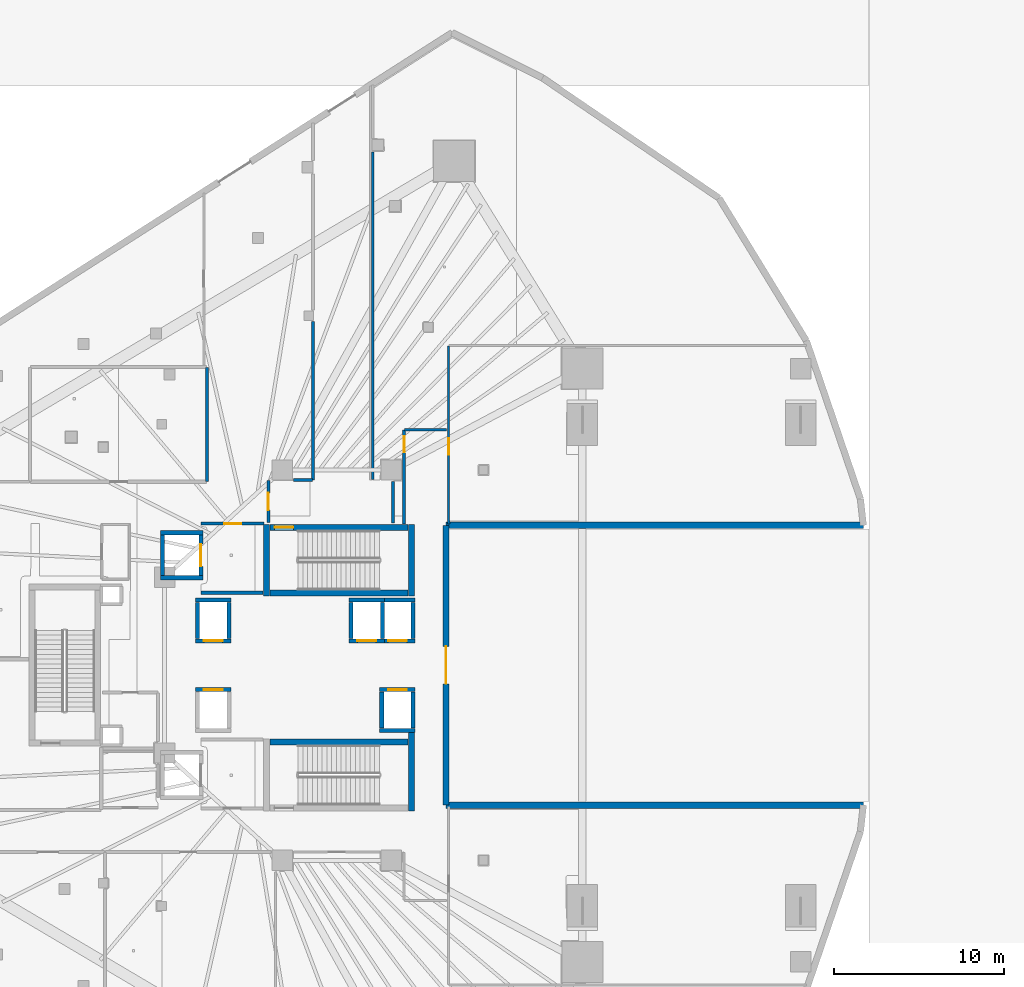
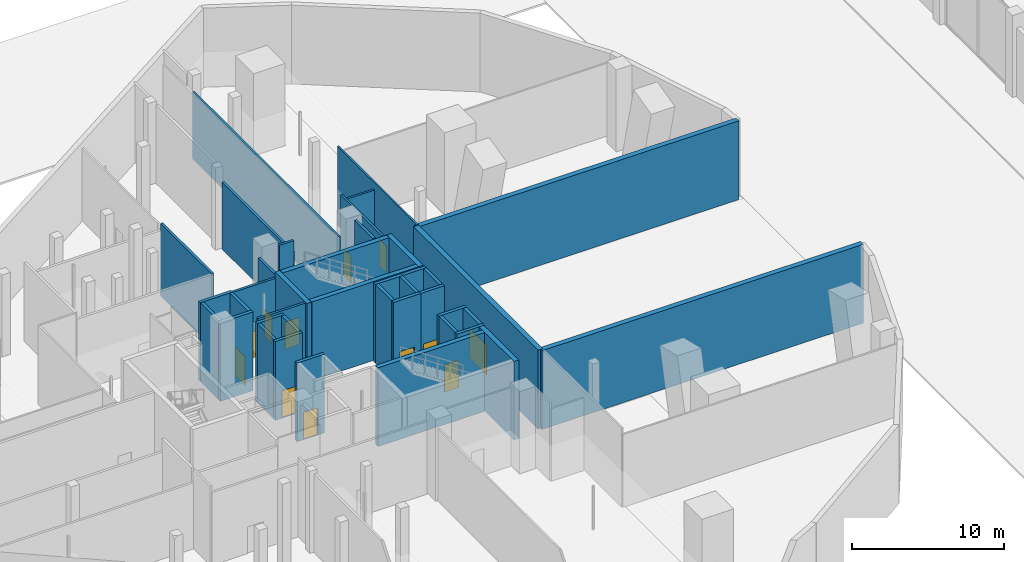
# One storey, part 28 of 45: 40 walls, 12 doors, 12 openings.
"""IFC4 building model written with IfcOpenShell, lengths in metres."""

from ifc_helpers import new_model, si_unit, direction, frame, frame_2d, origin, place, context, subcontext, project, spatial, rectangle, extrude, material, layer, layer_set, type_object, element, fill, save


model = new_model("IFC4")

# Units and contexts
model_context = context("Model", 3, precision=1e-05, world=origin(), true_north=direction((0.0, 1.0)))
body_context = subcontext(model_context, "Body", "Model", "MODEL_VIEW")
ifc_project = project(units=[si_unit("LENGTHUNIT", "METRE"), si_unit("AREAUNIT", "SQUARE_METRE"), si_unit("VOLUMEUNIT", "CUBIC_METRE"), si_unit("PLANEANGLEUNIT", "RADIAN"), si_unit("MASSUNIT", "GRAM", prefix="KILO")], contexts=[model_context])

# Site, building, storey
site_placement = place(None, origin())
site = spatial("IfcSite", under=ifc_project, at=site_placement, CompositionType="ELEMENT")
building_placement = place(site_placement, origin())
building = spatial("IfcBuilding", under=site, at=building_placement, Name="Qorvath Tower", CompositionType="ELEMENT")
storey_placement = place(building_placement, origin())
storey = spatial("IfcBuildingStorey", under=building, at=storey_placement, Name="L00", CompositionType="ELEMENT", Elevation=0.0)

# Walls
ifc_material_1 = material(Name="Gypsum shaftliner on steel studs", Category="steel")
ifc_layer_1 = layer(ifc_material_1, 0.179931640625)
ifc_layer_set_1 = layer_set([ifc_layer_1], Name="FW-LOBBY")
wall_type_1 = type_object("IfcWallType", Name="FW-LOBBY", PredefinedType="PARTITIONING", material=ifc_layer_set_1)
wall_1_placement = place(storey_placement, frame((-17.10009765625, 8.34521484375, 0.0), z_axis=(0.0, 0.0, 1.0), x_axis=(0.0, 1.0, 0.0)))
element("IfcWall", 1, at=wall_1_placement, inside=storey, type_object=wall_type_1, Name="Interior Partition IW-T1-L00-007", PredefinedType="PARTITIONING", context=body_context, shape_type="SweptSolid", body=[
    extrude(rectangle(XDim=2.439697265625, YDim=0.179931640625, at=frame_2d((1.2197265625, 0.0))), origin(), (0.0, 0.0, 1.0), 6.340087890625),
])
wall_2_placement = place(storey_placement, frame((-21.800048828125, 20.15478515625, 0.0), z_axis=(0.0, 0.0, 1.0), x_axis=(0.0, -1.0, 0.0)))
element("IfcWall", 2, at=wall_2_placement, inside=storey, type_object=wall_type_1, Name="Interior Partition IW-T1-L00-011", PredefinedType="PARTITIONING", context=body_context, shape_type="SweptSolid", body=[
    extrude(rectangle(XDim=9.27978515625, YDim=0.179931640625, at=frame_2d((4.639892578125, 0.0))), origin(), (0.0, 0.0, 1.0), 5.376953125),
])
wall_3_placement = place(storey_placement, frame((-22.93505859375, 10.85009765625, 0.0), z_axis=(0.0, 0.0, 1.0), x_axis=(1.0, 0.0, 0.0)))
element("IfcWall", 3, at=wall_3_placement, inside=storey, type_object=wall_type_1, Name="Interior Partition IW-T1-L00-012", PredefinedType="PARTITIONING", context=body_context, shape_type="SweptSolid", body=[
    extrude(rectangle(XDim=1.110107421875, YDim=0.179931640625, at=frame_2d((0.55517578125, 0.0))), origin(), (0.0, 0.0, 1.0), 6.340087890625),
])

# Wall, opening, door
wall_4_placement = place(storey_placement, frame((-24.419921875, 10.8251953125, 0.0), z_axis=(0.0, 0.0, 1.0), x_axis=(0.0, -1.0, 0.0)))
wall_4 = element("IfcWall", 4, at=wall_4_placement, inside=storey, type_object=wall_type_1, Name="Interior Partition IW-T1-L00-013", PredefinedType="PARTITIONING", context=body_context, shape_type="SweptSolid", body=[
    extrude(rectangle(XDim=2.44775390625, YDim=0.179931640625, at=frame_2d((1.223876953125, 0.0))), origin(), (0.0, 0.0, 1.0), 5.85302734375),
])
opening_1_placement = place(wall_4_placement, frame((0.723876953125, 0.0, 0.0)))
opening_1 = element("IfcOpeningElement", 5, at=opening_1_placement, cuts=wall_4, Name="Opening D-T1-L00-02", PredefinedType="OPENING", context=body_context, shape_type="SweptSolid", body=[
    extrude(rectangle(XDim=1.0, YDim=2.14990234375, at=frame_2d((0.5, 1.074951171875))), frame((0.0, 0.10009765625, 0.0), z_axis=(0.0, -1.0, 0.0), x_axis=(1.0, 0.0, 0.0)), (0.0, 0.0, 1.0), 0.199951171875),
])
ifc_material_2 = material(Name="Painted galvanised hollow metal", Category="steel")
door_type_1 = type_object("IfcDoorType", Name="FD-90B", OperationType="NOTDEFINED", PredefinedType="DOOR", material=ifc_material_2)
door_1_placement = place(opening_1_placement, origin())
door_1 = element("IfcDoor", 6, at=door_1_placement, inside=storey, type_object=door_type_1, Name="Corridor North Stair TS1 Exit Passageway Door D-T1-L00-02", OperationType="SINGLE_SWING_RIGHT", OverallHeight=2.14990234375, OverallWidth=1.0, PredefinedType="DOOR", context=body_context, shape_type="SweptSolid", body=[
    extrude(rectangle(XDim=1.0, YDim=2.14990234375, at=frame_2d((0.5, 1.074951171875))), frame((0.0, 0.02490234375, 0.0), z_axis=(0.0, -1.0, 0.0), x_axis=(1.0, 0.0, 0.0)), (0.0, 0.0, 1.0), 0.050048828125),
])
fill(opening_1, door_1)

# Wall
wall_5_placement = place(storey_placement, frame((-28.35498046875, 4.25, 0.0), z_axis=(0.0, 0.0, 1.0), x_axis=(1.0, 0.0, 0.0)))
element("IfcWall", 7, at=wall_5_placement, inside=storey, type_object=wall_type_1, Name="Interior Partition IW-T1-L00-014", PredefinedType="PARTITIONING", context=body_context, shape_type="SweptSolid", body=[
    extrude(rectangle(XDim=3.6220703125, YDim=0.179931640625, at=frame_2d((1.81103515625, 0.0))), origin(), (0.0, 0.0, 1.0), 6.340087890625),
])

# Wall, opening, door
wall_6_placement = place(storey_placement, frame((-24.68408203125, 8.300048828125, 0.0), z_axis=(0.0, 0.0, 1.0), x_axis=(-1.0, 0.0, 0.0)))
wall_6 = element("IfcWall", 8, at=wall_6_placement, inside=storey, type_object=wall_type_1, Name="Interior Partition IW-T1-L00-015", PredefinedType="PARTITIONING", context=body_context, shape_type="SweptSolid", body=[
    extrude(rectangle(XDim=3.6708984375, YDim=0.179931640625, at=frame_2d((1.83544921875, 0.0))), origin(), (0.0, 0.0, 1.0), 5.85302734375),
])
opening_2_placement = place(wall_6_placement, frame((1.33544921875, 0.0, 0.0)))
opening_2 = element("IfcOpeningElement", 9, at=opening_2_placement, cuts=wall_6, Name="Opening D-T1-L00-14", PredefinedType="OPENING", context=body_context, shape_type="SweptSolid", body=[
    extrude(rectangle(XDim=1.0, YDim=2.14990234375, at=frame_2d((0.5, 1.074951171875))), frame((0.0, 0.10009765625, 0.0), z_axis=(0.0, -1.0, 0.0), x_axis=(1.0, 0.0, 0.0)), (0.0, 0.0, 1.0), 0.199951171875),
])
ifc_material_3 = material(Name="Painted galvanised hollow metal", Category="steel")
door_type_2 = type_object("IfcDoorType", Name="FD-60", OperationType="NOTDEFINED", PredefinedType="DOOR", material=ifc_material_3)
door_2_placement = place(opening_2_placement, origin())
door_2 = element("IfcDoor", 10, at=door_2_placement, inside=storey, type_object=door_type_2, Name="Lobby Fire Service Elevator North Door D-T1-L00-14", OperationType="SINGLE_SWING_RIGHT", OverallHeight=2.14990234375, OverallWidth=1.0, PredefinedType="DOOR", context=body_context, shape_type="SweptSolid", body=[
    extrude(rectangle(XDim=1.0, YDim=2.14990234375, at=frame_2d((0.5, 1.074951171875))), frame((0.0, 0.02490234375, 0.0), z_axis=(0.0, -1.0, 0.0), x_axis=(1.0, 0.0, 0.0)), (0.0, 0.0, 1.0), 0.050048828125),
])
fill(opening_2, door_2)

# Wall
wall_7_placement = place(storey_placement, frame((-28.008056640625, 10.783203125, 0.0), z_axis=(0.0, 0.0, 1.0), x_axis=(0.0, 1.0, 0.0)))
element("IfcWall", 11, at=wall_7_placement, inside=storey, type_object=wall_type_1, Name="Interior Partition IW-T1-L00-034", PredefinedType="PARTITIONING", context=body_context, shape_type="SweptSolid", body=[
    extrude(rectangle(XDim=6.69189453125, YDim=0.179931640625, at=frame_2d((3.345947265625, 0.0))), origin(), (0.0, 0.0, 1.0), 5.85302734375),
])

# Wall, opening, door
ifc_material_4 = material(Name="Double acoustic gypsum board on steel studs", Category="steel")
ifc_layer_2 = layer(ifc_material_4, 0.159912109375)
ifc_layer_set_2 = layer_set([ifc_layer_2], Name="IW-ACOUSTIC-160")
wall_type_2 = type_object("IfcWallType", Name="IW-ACOUSTIC-160", PredefinedType="PARTITIONING", material=ifc_layer_set_2)
wall_8_placement = place(storey_placement, frame((-16.4580078125, 13.783203125, 0.0), z_axis=(0.0, 0.0, 1.0), x_axis=(0.0, -1.0, 0.0)))
wall_8 = element("IfcWall", 12, at=wall_8_placement, inside=storey, type_object=wall_type_2, Name="Interior Partition IW-T1-L00-039", PredefinedType="PARTITIONING", context=body_context, shape_type="SweptSolid", body=[
    extrude(rectangle(XDim=5.489990234375, YDim=0.159912109375, at=frame_2d((2.7451171875, 0.0))), origin(), (0.0, 0.0, 1.0), 6.340087890625),
])
opening_3_placement = place(wall_8_placement, frame((0.340087890625, 0.0, 0.0)))
opening_3 = element("IfcOpeningElement", 13, at=opening_3_placement, cuts=wall_8, Name="Opening D-T1-L00-08", PredefinedType="OPENING", context=body_context, shape_type="SweptSolid", body=[
    extrude(rectangle(XDim=0.949951171875, YDim=2.14990234375, at=frame_2d((0.47509765625, 1.074951171875))), frame((0.0, 0.08984375, 0.0), z_axis=(0.0, -1.0, 0.0), x_axis=(1.0, 0.0, 0.0)), (0.0, 0.0, 1.0), 0.179931640625),
])
ifc_material_5 = material(Name="Solid-core American white oak veneer", Category="wood")
door_type_3 = type_object("IfcDoorType", Name="D-01", OperationType="NOTDEFINED", PredefinedType="DOOR", material=ifc_material_5)
door_3_placement = place(opening_3_placement, origin())
door_3 = element("IfcDoor", 14, at=door_3_placement, inside=storey, type_object=door_type_3, Name="Corporate Auditorium Door D-T1-L00-08", OperationType="SINGLE_SWING_RIGHT", OverallHeight=2.14990234375, OverallWidth=0.949951171875, PredefinedType="DOOR", context=body_context, shape_type="SweptSolid", body=[
    extrude(rectangle(XDim=0.949951171875, YDim=2.14990234375, at=frame_2d((0.47509765625, 1.074951171875))), frame((0.0, 0.02490234375, 0.0), z_axis=(0.0, -1.0, 0.0), x_axis=(1.0, 0.0, 0.0)), (0.0, 0.0, 1.0), 0.050048828125),
])
fill(opening_3, door_3)

# Walls
wall_9_placement = place(storey_placement, frame((-16.43310546875, 13.80810546875, 0.0), z_axis=(0.0, 0.0, 1.0), x_axis=(1.0, 0.0, 0.0)))
element("IfcWall", 15, at=wall_9_placement, inside=storey, type_object=wall_type_2, Name="Interior Partition IW-T1-L00-040", PredefinedType="PARTITIONING", context=body_context, shape_type="SweptSolid", body=[
    extrude(rectangle(XDim=2.476806640625, YDim=0.159912109375, at=frame_2d((1.23828125, 0.0))), origin(), (0.0, 0.0, 1.0), 5.85302734375),
])
wall_10_placement = place(storey_placement, frame((-18.300048828125, 30.110107421875, 0.0), z_axis=(0.0, 0.0, 1.0), x_axis=(0.0, -1.0, 0.0)))
element("IfcWall", 16, at=wall_10_placement, inside=storey, type_object=wall_type_2, Name="Interior Partition IW-T1-L00-042", PredefinedType="PARTITIONING", context=body_context, shape_type="SweptSolid", body=[
    extrude(rectangle(XDim=19.2294921875, YDim=0.159912109375, at=frame_2d((9.61474609375, 0.0))), origin(), (0.0, 0.0, 1.0), 5.376953125),
])

# Wall, opening, door
ifc_material_6 = material(Name="Gypsum board on metal studs with mineral wool", Category="gypsum")
ifc_layer_3 = layer(ifc_material_6, 0.125)
ifc_layer_set_3 = layer_set([ifc_layer_3], Name="IW-PART-125")
wall_type_3 = type_object("IfcWallType", Name="IW-PART-125", PredefinedType="PARTITIONING", material=ifc_layer_set_3)
wall_11_placement = place(storey_placement, frame((-13.85009765625, 18.72509765625, 0.0), z_axis=(0.0, 0.0, 1.0), x_axis=(0.000794707928, -0.99999968422, 0.0)))
wall_11 = element("IfcWall", 17, at=wall_11_placement, inside=storey, type_object=wall_type_3, Name="Interior Partition IW-T1-L00-038", PredefinedType="PARTITIONING", context=body_context, shape_type="SweptSolid", body=[
    extrude(rectangle(XDim=10.445068359375, YDim=0.125, at=frame_2d((5.22265625, 0.0))), origin(), (0.0, 0.0, 1.0), 6.340087890625),
])
opening_4_placement = place(wall_11_placement, frame((5.42578125, 0.0, 0.0)))
opening_4 = element("IfcOpeningElement", 18, at=opening_4_placement, cuts=wall_11, Name="Opening D-T1-L00-07", PredefinedType="OPENING", context=body_context, shape_type="SweptSolid", body=[
    extrude(rectangle(XDim=0.949951171875, YDim=2.14990234375, at=frame_2d((0.47509765625, 1.074951171875))), frame((0.0, 0.072509765625, 0.0), z_axis=(0.0, -1.0, 0.0), x_axis=(1.0, 0.0, 0.0)), (0.0, 0.0, 1.0), 0.14501953125),
])
door_4_placement = place(opening_4_placement, origin())
door_4 = element("IfcDoor", 19, at=door_4_placement, inside=storey, type_object=door_type_3, Name="North Arch Concourse Operations Office Door D-T1-L00-07", OperationType="SINGLE_SWING_LEFT", OverallHeight=2.14990234375, OverallWidth=0.949951171875, PredefinedType="DOOR", context=body_context, shape_type="SweptSolid", body=[
    extrude(rectangle(XDim=0.949951171875, YDim=2.14990234375, at=frame_2d((0.47509765625, 1.074951171875))), frame((0.0, 0.02490234375, 0.0), z_axis=(0.0, -1.0, 0.0), x_axis=(1.0, 0.0, 0.0)), (0.0, 0.0, 1.0), 0.050048828125),
])
fill(opening_4, door_4)

# Walls
ifc_material_7 = material(Name="Concrete C60/75", Category="concrete")
ifc_layer_4 = layer(ifc_material_7, 0.260009765625)
ifc_layer_set_4 = layer_set([ifc_layer_4], Name="SW-SHAFT")
wall_type_4 = type_object("IfcWallType", Name="SW-SHAFT", PredefinedType="SHEAR", material=ifc_layer_set_4)
for number, where, z_axis, x_axis, name in (
    (20, (-28.260009765625, 5.1298828125, 0.0), (0.0, 0.0, 1.0), (-1.0, 0.0, 0.0), "Hoistway Wall FSAE-1 L00 S"),
    (21, (-30.739990234375, 7.77001953125, 0.0), (0.0, 0.0, 1.0), (1.0, 0.0, 0.0), "Hoistway Wall FSAE-1 L00 N"),
):
    element("IfcWall", number, at=place(storey_placement, frame(where, z_axis=z_axis, x_axis=x_axis)), inside=storey, type_object=wall_type_4, Name=name, PredefinedType="SHEAR", context=body_context, shape_type="SweptSolid", body=[
        extrude(rectangle(XDim=2.47998046875, YDim=0.239990234375, at=frame_2d((1.239990234375, 0.0))), origin(), (0.0, 0.0, 1.0), 6.340087890625),
    ])
wall_12_placement = place(storey_placement, frame((-30.6201171875, 5.261962890625, 0.0), z_axis=(0.0, 0.0, 1.0), x_axis=(0.0, 1.0, 0.0)))
element("IfcWall", 22, at=wall_12_placement, inside=storey, type_object=wall_type_4, Name="Hoistway Wall FSAE-1 L00 W", PredefinedType="SHEAR", context=body_context, shape_type="SweptSolid", body=[
    extrude(rectangle(XDim=2.3759765625, YDim=0.239990234375, at=frame_2d((1.18798828125, 0.0))), origin(), (0.0, 0.0, 1.0), 6.340087890625),
])

# Wall, opening, door
wall_13_placement = place(storey_placement, frame((-28.3798828125, 7.637939453125, 0.0), z_axis=(0.0, 0.0, 1.0), x_axis=(0.0, -1.0, 0.0)))
wall_13 = element("IfcWall", 23, at=wall_13_placement, inside=storey, type_object=wall_type_4, Name="Hoistway Wall FSAE-1 L00 E", PredefinedType="SHEAR", context=body_context, shape_type="SweptSolid", body=[
    extrude(rectangle(XDim=2.3759765625, YDim=0.239990234375, at=frame_2d((1.18798828125, 0.0))), origin(), (0.0, 0.0, 1.0), 6.340087890625),
])
opening_5_placement = place(wall_13_placement, frame((0.537841796875, 0.0, 0.0)))
opening_5 = element("IfcOpeningElement", 24, at=opening_5_placement, cuts=wall_13, Name="Opening LD-FSAE-1-L00", PredefinedType="OPENING", context=body_context, shape_type="SweptSolid", body=[
    extrude(rectangle(XDim=1.300048828125, YDim=2.300048828125, at=frame_2d((0.64990234375, 1.14990234375))), frame((0.0, 0.1298828125, 0.0), z_axis=(0.0, -1.0, 0.0), x_axis=(1.0, 0.0, 0.0)), (0.0, 0.0, 1.0), 0.260009765625),
])
ifc_material_8 = material(Name="Brushed stainless steel AISI 316", Category="steel")
door_type_4 = type_object("IfcDoorType", Name="LD-02", OperationType="NOTDEFINED", PredefinedType="DOOR", material=ifc_material_8)
door_5_placement = place(opening_5_placement, origin())
door_5 = element("IfcDoor", 25, at=door_5_placement, inside=storey, type_object=door_type_4, Name="Elevator Landing Sliding Door LD-FSAE-1-L00", OperationType="DOUBLE_DOOR_SLIDING", OverallHeight=2.300048828125, OverallWidth=1.300048828125, PredefinedType="DOOR", context=body_context, shape_type="SweptSolid", body=[
    extrude(rectangle(XDim=1.300048828125, YDim=2.300048828125, at=frame_2d((0.64990234375, 1.14990234375))), frame((0.0, 0.02490234375, 0.0), z_axis=(0.0, -1.0, 0.0), x_axis=(1.0, 0.0, 0.0)), (0.0, 0.0, 1.0), 0.050048828125),
])
fill(opening_5, door_5)

wall_14_placement = place(storey_placement, frame((-26.610107421875, 1.429931640625, 0.0), z_axis=(0.0, 0.0, 1.0), x_axis=(-1.0, 0.0, 0.0)))
wall_14 = element("IfcWall", 26, at=wall_14_placement, inside=storey, type_object=wall_type_4, Name="Hoistway Wall PS-1 L00 S", PredefinedType="SHEAR", context=body_context, shape_type="SweptSolid", body=[
    extrude(rectangle(XDim=2.079833984375, YDim=0.239990234375, at=frame_2d((1.0400390625, 0.0))), origin(), (0.0, 0.0, 1.0), 6.340087890625),
])
opening_6_placement = place(wall_14_placement, frame((0.48974609375, 0.0, 0.0)))
opening_6 = element("IfcOpeningElement", 27, at=opening_6_placement, cuts=wall_14, Name="Opening LD-PS-1-L00", PredefinedType="OPENING", context=body_context, shape_type="SweptSolid", body=[
    extrude(rectangle(XDim=1.10009765625, YDim=2.199951171875, at=frame_2d((0.550048828125, 1.10009765625))), frame((0.0, 0.1298828125, 0.0), z_axis=(0.0, -1.0, 0.0), x_axis=(1.0, 0.0, 0.0)), (0.0, 0.0, 1.0), 0.260009765625),
])
ifc_material_9 = material(Name="Brushed stainless steel AISI 316", Category="steel")
door_type_5 = type_object("IfcDoorType", Name="LD-01", OperationType="NOTDEFINED", PredefinedType="DOOR", material=ifc_material_9)
door_6_placement = place(opening_6_placement, origin())
door_6 = element("IfcDoor", 28, at=door_6_placement, inside=storey, type_object=door_type_5, Name="Elevator Landing Sliding Door LD-PS-1-L00", OperationType="DOUBLE_DOOR_SLIDING", OverallHeight=2.199951171875, OverallWidth=1.10009765625, PredefinedType="DOOR", context=body_context, shape_type="SweptSolid", body=[
    extrude(rectangle(XDim=1.10009765625, YDim=2.199951171875, at=frame_2d((0.550048828125, 1.10009765625))), frame((0.0, 0.02490234375, 0.0), z_axis=(0.0, -1.0, 0.0), x_axis=(1.0, 0.0, 0.0)), (0.0, 0.0, 1.0), 0.050048828125),
])
fill(opening_6, door_6)

# Walls
wall_15_placement = place(storey_placement, frame((-28.68994140625, 3.820068359375, 0.0), z_axis=(0.0, 0.0, 1.0), x_axis=(1.0, 0.0, 0.0)))
element("IfcWall", 29, at=wall_15_placement, inside=storey, type_object=wall_type_4, Name="Hoistway Wall PS-1 L00 N", PredefinedType="SHEAR", context=body_context, shape_type="SweptSolid", body=[
    extrude(rectangle(XDim=2.079833984375, YDim=0.239990234375, at=frame_2d((1.0400390625, 0.0))), origin(), (0.0, 0.0, 1.0), 6.340087890625),
])
for number, where, z_axis, x_axis, name in (
    (30, (-28.570068359375, 1.56201171875, 0.0), (0.0, 0.0, 1.0), (0.0, 1.0, 0.0), "Hoistway Wall PS-1 L00 W"),
    (31, (-26.72998046875, 3.68798828125, 0.0), (0.0, 0.0, 1.0), (0.0, -1.0, 0.0), "Hoistway Wall PS-1 L00 E"),
):
    element("IfcWall", number, at=place(storey_placement, frame(where, z_axis=z_axis, x_axis=x_axis)), inside=storey, type_object=wall_type_4, Name=name, PredefinedType="SHEAR", context=body_context, shape_type="SweptSolid", body=[
        extrude(rectangle(XDim=2.1259765625, YDim=0.239990234375, at=frame_2d((1.06298828125, 0.0))), origin(), (0.0, 0.0, 1.0), 6.340087890625),
    ])

# Wall, opening, door
wall_16_placement = place(storey_placement, frame((-17.610107421875, 1.429931640625, 0.0), z_axis=(0.0, 0.0, 1.0), x_axis=(-1.0, 0.0, 0.0)))
wall_16 = element("IfcWall", 32, at=wall_16_placement, inside=storey, type_object=wall_type_4, Name="Hoistway Wall PL-1 L00 S", PredefinedType="SHEAR", context=body_context, shape_type="SweptSolid", body=[
    extrude(rectangle(XDim=2.079833984375, YDim=0.239990234375, at=frame_2d((1.0400390625, 0.0))), origin(), (0.0, 0.0, 1.0), 6.340087890625),
])
opening_7_placement = place(wall_16_placement, frame((0.48974609375, 0.0, 0.0)))
opening_7 = element("IfcOpeningElement", 33, at=opening_7_placement, cuts=wall_16, Name="Opening LD-PL-1-L00", PredefinedType="OPENING", context=body_context, shape_type="SweptSolid", body=[
    extrude(rectangle(XDim=1.10009765625, YDim=2.199951171875, at=frame_2d((0.550048828125, 1.10009765625))), frame((0.0, 0.1298828125, 0.0), z_axis=(0.0, -1.0, 0.0), x_axis=(1.0, 0.0, 0.0)), (0.0, 0.0, 1.0), 0.260009765625),
])
door_7_placement = place(opening_7_placement, origin())
door_7 = element("IfcDoor", 34, at=door_7_placement, inside=storey, type_object=door_type_5, Name="Elevator Landing Sliding Door LD-PL-1-L00", OperationType="DOUBLE_DOOR_SLIDING", OverallHeight=2.199951171875, OverallWidth=1.10009765625, PredefinedType="DOOR", context=body_context, shape_type="SweptSolid", body=[
    extrude(rectangle(XDim=1.10009765625, YDim=2.199951171875, at=frame_2d((0.550048828125, 1.10009765625))), frame((0.0, 0.02490234375, 0.0), z_axis=(0.0, -1.0, 0.0), x_axis=(1.0, 0.0, 0.0)), (0.0, 0.0, 1.0), 0.050048828125),
])
fill(opening_7, door_7)

# Walls
wall_17_placement = place(storey_placement, frame((-19.68994140625, 3.820068359375, 0.0), z_axis=(0.0, 0.0, 1.0), x_axis=(1.0, 0.0, 0.0)))
element("IfcWall", 35, at=wall_17_placement, inside=storey, type_object=wall_type_4, Name="Hoistway Wall PL-1 L00 N", PredefinedType="SHEAR", context=body_context, shape_type="SweptSolid", body=[
    extrude(rectangle(XDim=2.079833984375, YDim=0.239990234375, at=frame_2d((1.0400390625, 0.0))), origin(), (0.0, 0.0, 1.0), 6.340087890625),
])
for number, where, z_axis, x_axis, name in (
    (36, (-19.570068359375, 1.56201171875, 0.0), (0.0, 0.0, 1.0), (0.0, 1.0, 0.0), "Hoistway Wall PL-1 L00 W"),
    (37, (-17.72998046875, 3.68798828125, 0.0), (0.0, 0.0, 1.0), (0.0, -1.0, 0.0), "Hoistway Wall PL-1 L00 E"),
):
    element("IfcWall", number, at=place(storey_placement, frame(where, z_axis=z_axis, x_axis=x_axis)), inside=storey, type_object=wall_type_4, Name=name, PredefinedType="SHEAR", context=body_context, shape_type="SweptSolid", body=[
        extrude(rectangle(XDim=2.1259765625, YDim=0.239990234375, at=frame_2d((1.06298828125, 0.0))), origin(), (0.0, 0.0, 1.0), 6.340087890625),
    ])

# Wall, opening, door
wall_18_placement = place(storey_placement, frame((-15.81005859375, 1.429931640625, 0.0), z_axis=(0.0, 0.0, 1.0), x_axis=(-1.0, 0.0, 0.0)))
wall_18 = element("IfcWall", 38, at=wall_18_placement, inside=storey, type_object=wall_type_4, Name="Hoistway Wall PL-3 L00 S", PredefinedType="SHEAR", context=body_context, shape_type="SweptSolid", body=[
    extrude(rectangle(XDim=1.800048828125, YDim=0.239990234375, at=frame_2d((0.89990234375, 0.0))), origin(), (0.0, 0.0, 1.0), 6.340087890625),
])
opening_8_placement = place(wall_18_placement, frame((0.489990234375, 0.0, 0.0)))
opening_8 = element("IfcOpeningElement", 39, at=opening_8_placement, cuts=wall_18, Name="Opening LD-PL-3-L00", PredefinedType="OPENING", context=body_context, shape_type="SweptSolid", body=[
    extrude(rectangle(XDim=1.10009765625, YDim=2.199951171875, at=frame_2d((0.550048828125, 1.10009765625))), frame((0.0, 0.1298828125, 0.0), z_axis=(0.0, -1.0, 0.0), x_axis=(1.0, 0.0, 0.0)), (0.0, 0.0, 1.0), 0.260009765625),
])
door_8_placement = place(opening_8_placement, origin())
door_8 = element("IfcDoor", 40, at=door_8_placement, inside=storey, type_object=door_type_5, Name="Elevator Landing Sliding Door LD-PL-3-L00", OperationType="DOUBLE_DOOR_SLIDING", OverallHeight=2.199951171875, OverallWidth=1.10009765625, PredefinedType="DOOR", context=body_context, shape_type="SweptSolid", body=[
    extrude(rectangle(XDim=1.10009765625, YDim=2.199951171875, at=frame_2d((0.550048828125, 1.10009765625))), frame((0.0, 0.02490234375, 0.0), z_axis=(0.0, -1.0, 0.0), x_axis=(1.0, 0.0, 0.0)), (0.0, 0.0, 1.0), 0.050048828125),
])
fill(opening_8, door_8)

# Walls
wall_19_placement = place(storey_placement, frame((-17.610107421875, 3.820068359375, 0.0), z_axis=(0.0, 0.0, 1.0), x_axis=(1.0, 0.0, 0.0)))
element("IfcWall", 41, at=wall_19_placement, inside=storey, type_object=wall_type_4, Name="Hoistway Wall PL-3 L00 N", PredefinedType="SHEAR", context=body_context, shape_type="SweptSolid", body=[
    extrude(rectangle(XDim=1.800048828125, YDim=0.239990234375, at=frame_2d((0.89990234375, 0.0))), origin(), (0.0, 0.0, 1.0), 6.340087890625),
])
wall_20_placement = place(storey_placement, frame((-15.929931640625, 3.68798828125, 0.0), z_axis=(0.0, 0.0, 1.0), x_axis=(0.0, -1.0, 0.0)))
element("IfcWall", 42, at=wall_20_placement, inside=storey, type_object=wall_type_4, Name="Hoistway Wall PL-3 L00 E", PredefinedType="SHEAR", context=body_context, shape_type="SweptSolid", body=[
    extrude(rectangle(XDim=2.1259765625, YDim=0.239990234375, at=frame_2d((1.06298828125, 0.0))), origin(), (0.0, 0.0, 1.0), 6.340087890625),
])

# Wall, opening, door
wall_21_placement = place(storey_placement, frame((-28.68994140625, -1.429931640625, 0.0), z_axis=(0.0, 0.0, 1.0), x_axis=(1.0, 0.0, 0.0)))
wall_21 = element("IfcWall", 43, at=wall_21_placement, inside=storey, type_object=wall_type_4, Name="Hoistway Wall PS-2 L00 N", PredefinedType="SHEAR", context=body_context, shape_type="SweptSolid", body=[
    extrude(rectangle(XDim=2.079833984375, YDim=0.239990234375, at=frame_2d((1.0400390625, 0.0))), origin(), (0.0, 0.0, 1.0), 6.340087890625),
])
opening_9_placement = place(wall_21_placement, frame((0.489990234375, 0.0, 0.0)))
opening_9 = element("IfcOpeningElement", 44, at=opening_9_placement, cuts=wall_21, Name="Opening LD-PS-2-L00", PredefinedType="OPENING", context=body_context, shape_type="SweptSolid", body=[
    extrude(rectangle(XDim=1.10009765625, YDim=2.199951171875, at=frame_2d((0.550048828125, 1.10009765625))), frame((0.0, 0.1298828125, 0.0), z_axis=(0.0, -1.0, 0.0), x_axis=(1.0, 0.0, 0.0)), (0.0, 0.0, 1.0), 0.260009765625),
])
door_9_placement = place(opening_9_placement, origin())
door_9 = element("IfcDoor", 45, at=door_9_placement, inside=storey, type_object=door_type_5, Name="Elevator Landing Sliding Door LD-PS-2-L00", OperationType="DOUBLE_DOOR_SLIDING", OverallHeight=2.199951171875, OverallWidth=1.10009765625, PredefinedType="DOOR", context=body_context, shape_type="SweptSolid", body=[
    extrude(rectangle(XDim=1.10009765625, YDim=2.199951171875, at=frame_2d((0.550048828125, 1.10009765625))), frame((0.0, 0.02490234375, 0.0), z_axis=(0.0, -1.0, 0.0), x_axis=(1.0, 0.0, 0.0)), (0.0, 0.0, 1.0), 0.050048828125),
])
fill(opening_9, door_9)

# Wall
wall_22_placement = place(storey_placement, frame((-15.81005859375, -3.820068359375, 0.0), z_axis=(0.0, 0.0, 1.0), x_axis=(-1.0, 0.0, 0.0)))
element("IfcWall", 46, at=wall_22_placement, inside=storey, type_object=wall_type_4, Name="Hoistway Wall PL-2 L00 S", PredefinedType="SHEAR", context=body_context, shape_type="SweptSolid", body=[
    extrude(rectangle(XDim=2.079833984375, YDim=0.239990234375, at=frame_2d((1.0400390625, 0.0))), origin(), (0.0, 0.0, 1.0), 6.340087890625),
])

# Wall, opening, door
wall_23_placement = place(storey_placement, frame((-17.889892578125, -1.429931640625, 0.0), z_axis=(0.0, 0.0, 1.0), x_axis=(1.0, 0.0, 0.0)))
wall_23 = element("IfcWall", 47, at=wall_23_placement, inside=storey, type_object=wall_type_4, Name="Hoistway Wall PL-2 L00 N", PredefinedType="SHEAR", context=body_context, shape_type="SweptSolid", body=[
    extrude(rectangle(XDim=2.079833984375, YDim=0.239990234375, at=frame_2d((1.0400390625, 0.0))), origin(), (0.0, 0.0, 1.0), 6.340087890625),
])
opening_10_placement = place(wall_23_placement, frame((0.48974609375, 0.0, 0.0)))
opening_10 = element("IfcOpeningElement", 48, at=opening_10_placement, cuts=wall_23, Name="Opening LD-PL-2-L00", PredefinedType="OPENING", context=body_context, shape_type="SweptSolid", body=[
    extrude(rectangle(XDim=1.10009765625, YDim=2.199951171875, at=frame_2d((0.550048828125, 1.10009765625))), frame((0.0, 0.1298828125, 0.0), z_axis=(0.0, -1.0, 0.0), x_axis=(1.0, 0.0, 0.0)), (0.0, 0.0, 1.0), 0.260009765625),
])
door_10_placement = place(opening_10_placement, origin())
door_10 = element("IfcDoor", 49, at=door_10_placement, inside=storey, type_object=door_type_5, Name="Elevator Landing Sliding Door LD-PL-2-L00", OperationType="DOUBLE_DOOR_SLIDING", OverallHeight=2.199951171875, OverallWidth=1.10009765625, PredefinedType="DOOR", context=body_context, shape_type="SweptSolid", body=[
    extrude(rectangle(XDim=1.10009765625, YDim=2.199951171875, at=frame_2d((0.550048828125, 1.10009765625))), frame((0.0, 0.02490234375, 0.0), z_axis=(0.0, -1.0, 0.0), x_axis=(1.0, 0.0, 0.0)), (0.0, 0.0, 1.0), 0.050048828125),
])
fill(opening_10, door_10)

# Walls
for number, where, z_axis, x_axis, name in (
    (50, (-17.77001953125, -3.68798828125, 0.0), (0.0, 0.0, 1.0), (0.0, 1.0, 0.0), "Hoistway Wall PL-2 L00 W"),
    (51, (-15.929931640625, -1.56201171875, 0.0), (0.0, 0.0, 1.0), (0.0, -1.0, 0.0), "Hoistway Wall PL-2 L00 E"),
):
    element("IfcWall", number, at=place(storey_placement, frame(where, z_axis=z_axis, x_axis=x_axis)), inside=storey, type_object=wall_type_4, Name=name, PredefinedType="SHEAR", context=body_context, shape_type="SweptSolid", body=[
        extrude(rectangle(XDim=2.1259765625, YDim=0.239990234375, at=frame_2d((1.06298828125, 0.0))), origin(), (0.0, 0.0, 1.0), 6.340087890625),
    ])
ifc_material_10 = material(Name="Concrete C60/75", Category="concrete")
ifc_layer_5 = layer(ifc_material_10, 0.35009765625)
ifc_layer_set_5 = layer_set([ifc_layer_5], Name="SW-STAIR")
wall_type_5 = type_object("IfcWallType", Name="SW-STAIR", PredefinedType="SHEAR", material=ifc_layer_set_5)
for number, where, z_axis, x_axis, name in (
    (52, (-24.52490234375, 8.260009765625, 0.0), (0.0, 0.0, 1.0), (0.0, -1.0, 0.0), "Stair TS1 Shear Wall L00 NEAR"),
    (53, (-16.02490234375, 4.050048828125, 0.0), (0.0, 0.0, 1.0), (0.0, 1.0, 0.0), "Stair TS1 Shear Wall L00 FAR"),
):
    element("IfcWall", number, at=place(storey_placement, frame(where, z_axis=z_axis, x_axis=x_axis)), inside=storey, type_object=wall_type_5, Name=name, PredefinedType="SHEAR", context=body_context, shape_type="SweptSolid", body=[
        extrude(rectangle(XDim=4.2099609375, YDim=0.35009765625, at=frame_2d((2.10498046875, 0.0))), origin(), (0.0, 0.0, 1.0), 6.340087890625),
    ])
wall_24_placement = place(storey_placement, frame((-24.3349609375, 4.22509765625, 0.0), z_axis=(0.0, 0.0, 1.0), x_axis=(1.0, 0.0, 0.0)))
element("IfcWall", 54, at=wall_24_placement, inside=storey, type_object=wall_type_5, Name="Stair TS1 Shear Wall L00 LEFT", PredefinedType="SHEAR", context=body_context, shape_type="SweptSolid", body=[
    extrude(rectangle(XDim=8.119873046875, YDim=0.35009765625, at=frame_2d((4.06005859375, 0.0))), origin(), (0.0, 0.0, 1.0), 6.340087890625),
])

# Wall, opening, door
wall_25_placement = place(storey_placement, frame((-24.3349609375, 8.0849609375, 0.0), z_axis=(0.0, 0.0, 1.0), x_axis=(1.0, 0.0, 0.0)))
wall_25 = element("IfcWall", 55, at=wall_25_placement, inside=storey, type_object=wall_type_5, Name="Stair TS1 Shear Wall L00 RIGHT", PredefinedType="SHEAR", context=body_context, shape_type="SweptSolid", body=[
    extrude(rectangle(XDim=8.119873046875, YDim=0.35009765625, at=frame_2d((4.06005859375, 0.0))), origin(), (0.0, 0.0, 1.0), 6.340087890625),
])
opening_11_placement = place(wall_25_placement, frame((0.280029296875, 0.0, 0.0)))
opening_11 = element("IfcOpeningElement", 56, at=opening_11_placement, cuts=wall_25, Name="Opening D-TS1-L00", PredefinedType="OPENING", context=body_context, shape_type="SweptSolid", body=[
    extrude(rectangle(XDim=1.10009765625, YDim=2.199951171875, at=frame_2d((0.550048828125, 1.10009765625))), frame((0.0, 0.18505859375, 0.0), z_axis=(0.0, -1.0, 0.0), x_axis=(1.0, 0.0, 0.0)), (0.0, 0.0, 1.0), 0.3701171875),
])
ifc_material_11 = material(Name="Painted galvanised hollow metal", Category="steel")
door_type_6 = type_object("IfcDoorType", Name="FD-90", OperationType="NOTDEFINED", PredefinedType="DOOR", material=ifc_material_11)
door_11_placement = place(opening_11_placement, origin())
door_11 = element("IfcDoor", 57, at=door_11_placement, inside=storey, type_object=door_type_6, Name="Stair TS1 Fire Door L00", OperationType="SINGLE_SWING_LEFT", OverallHeight=2.199951171875, OverallWidth=1.10009765625, PredefinedType="DOOR", context=body_context, shape_type="SweptSolid", body=[
    extrude(rectangle(XDim=1.10009765625, YDim=2.199951171875, at=frame_2d((0.550048828125, 1.10009765625))), frame((0.0, 0.02490234375, 0.0), z_axis=(0.0, -1.0, 0.0), x_axis=(1.0, 0.0, 0.0)), (0.0, 0.0, 1.0), 0.050048828125),
])
fill(opening_11, door_11)

# Walls
wall_26_placement = place(storey_placement, frame((-16.02490234375, -8.550048828125, 0.0), z_axis=(0.0, 0.0, 1.0), x_axis=(0.0, 1.0, 0.0)))
element("IfcWall", 58, at=wall_26_placement, inside=storey, type_object=wall_type_5, Name="Stair TS2 Shear Wall L00 FAR", PredefinedType="SHEAR", context=body_context, shape_type="SweptSolid", body=[
    extrude(rectangle(XDim=4.610107421875, YDim=0.35009765625, at=frame_2d((2.30517578125, 0.0))), origin(), (0.0, 0.0, 1.0), 6.340087890625),
])
wall_27_placement = place(storey_placement, frame((-16.215087890625, -4.514892578125, 0.0), z_axis=(0.0, 0.0, 1.0), x_axis=(-1.0, 0.0, 0.0)))
element("IfcWall", 59, at=wall_27_placement, inside=storey, type_object=wall_type_5, Name="Stair TS2 Shear Wall L00 RIGHT", PredefinedType="SHEAR", context=body_context, shape_type="SweptSolid", body=[
    extrude(rectangle(XDim=8.119873046875, YDim=0.35009765625, at=frame_2d((4.06005859375, 0.0))), origin(), (0.0, 0.0, 1.0), 6.340087890625),
])
ifc_material_12 = material(Name="Precast concrete C50/60", Category="concrete")
ifc_layer_6 = layer(ifc_material_12, 0.3798828125)
ifc_layer_set_6 = layer_set([ifc_layer_6], Name="WL-EW-POD-380")
wall_type_6 = type_object("IfcWallType", Name="WL-EW-POD-380", PredefinedType="SOLIDWALL", material=ifc_layer_set_6)
wall_28_placement = place(storey_placement, frame((10.483154296875, -8.199951171875, 0.0), z_axis=(0.0, 0.0, 1.0), x_axis=(-1.0, 0.0, 0.0)))
element("IfcWall", 60, at=wall_28_placement, inside=storey, type_object=wall_type_6, Name="Tower Podium Precast Facade Wall L00-1.1", PredefinedType="SOLIDWALL", context=body_context, shape_type="SweptSolid", body=[
    extrude(rectangle(XDim=24.483154296875, YDim=0.3798828125, at=frame_2d((12.24169921875, 0.0))), origin(), (0.0, 0.0, 1.0), 6.340087890625),
])

# Wall, opening, door
wall_29_placement = place(storey_placement, frame((-14.0, 8.199951171875, 0.0), z_axis=(0.0, 0.0, 1.0), x_axis=(0.0, -1.0, 0.0)))
wall_29 = element("IfcWall", 61, at=wall_29_placement, inside=storey, type_object=wall_type_6, Name="Tower Podium Precast Facade Wall L00-2.1", PredefinedType="SOLIDWALL", context=body_context, shape_type="SweptSolid", body=[
    extrude(rectangle(XDim=16.39990234375, YDim=0.3798828125, at=frame_2d((8.199951171875, 0.0))), origin(), (0.0, 0.0, 1.0), 6.340087890625),
])
opening_12_placement = place(wall_29_placement, frame((7.10009765625, 0.0, 0.0)))
opening_12 = element("IfcOpeningElement", 62, at=opening_12_placement, cuts=wall_29, Name="Opening ED-T1-01", PredefinedType="OPENING", context=body_context, shape_type="SweptSolid", body=[
    extrude(rectangle(XDim=2.199951171875, YDim=2.39990234375, at=frame_2d((1.10009765625, 1.199951171875))), frame((0.0, 0.199951171875, 0.0), z_axis=(0.0, -1.0, 0.0), x_axis=(1.0, 0.0, 0.0)), (0.0, 0.0, 1.0), 0.39990234375),
])
ifc_material_13 = material(Name="Anodised aluminium and low-E glass", Category="aluminium")
door_type_7 = type_object("IfcDoorType", Name="ED-02", OperationType="NOTDEFINED", PredefinedType="DOOR", material=ifc_material_13)
door_12_placement = place(opening_12_placement, origin())
door_12 = element("IfcDoor", 63, at=door_12_placement, inside=storey, type_object=door_type_7, Name="Tower Main Concourse Plaza Exterior Exit Door", OperationType="SINGLE_SWING_LEFT", OverallHeight=2.39990234375, OverallWidth=2.199951171875, PredefinedType="DOOR", context=body_context, shape_type="SweptSolid", body=[
    extrude(rectangle(XDim=2.199951171875, YDim=2.39990234375, at=frame_2d((1.10009765625, 1.199951171875))), frame((0.0, 0.02490234375, 0.0), z_axis=(0.0, -1.0, 0.0), x_axis=(1.0, 0.0, 0.0)), (0.0, 0.0, 1.0), 0.050048828125),
])
fill(opening_12, door_12)

# Wall
wall_30_placement = place(storey_placement, frame((-14.0, 8.199951171875, 0.0), z_axis=(0.0, 0.0, 1.0), x_axis=(1.0, 0.0, 0.0)))
element("IfcWall", 64, at=wall_30_placement, inside=storey, type_object=wall_type_6, Name="Tower Podium Precast Facade Wall L00-3.1", PredefinedType="SOLIDWALL", context=body_context, shape_type="SweptSolid", body=[
    extrude(rectangle(XDim=24.483154296875, YDim=0.3798828125, at=frame_2d((12.24169921875, 0.0))), origin(), (0.0, 0.0, 1.0), 6.340087890625),
])

save(model, "model.ifc")
